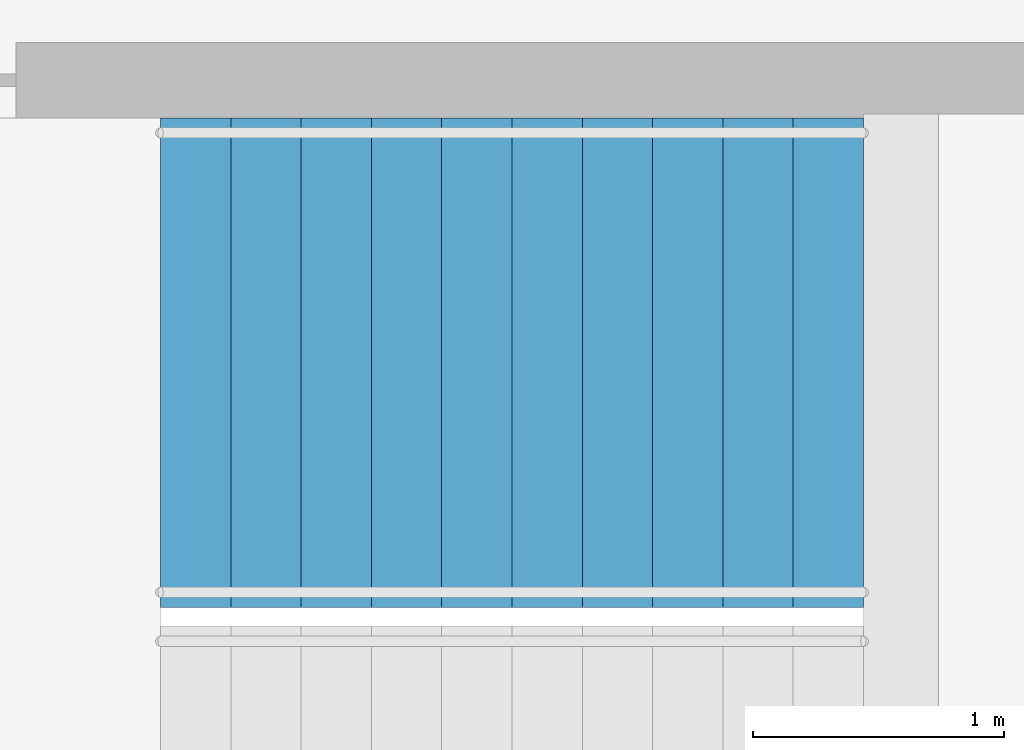
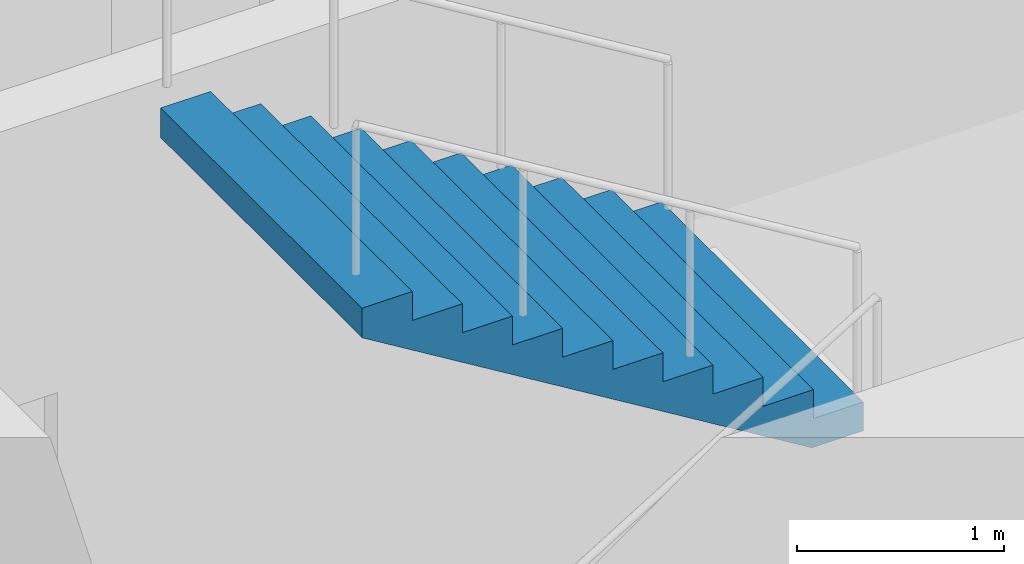
# One storey, part 19 of 22: 1 stair flight, 1 element without a shape of its own.
"""IFC4 building model written with IfcOpenShell, lengths in metres."""

from ifc_helpers import new_model, si_unit, direction, frame, origin, place, context, subcontext, project, spatial, triangles, material, type_object, element, aggregate, save


model = new_model("IFC4")

# Units and contexts
model_context = context("Model", 3, precision=1e-05, world=origin(), true_north=direction((0.0, 1.0)))
body_context = subcontext(model_context, "Body", "Model", "MODEL_VIEW")
ifc_project = project(units=[si_unit("LENGTHUNIT", "METRE"), si_unit("AREAUNIT", "SQUARE_METRE"), si_unit("VOLUMEUNIT", "CUBIC_METRE"), si_unit("PLANEANGLEUNIT", "RADIAN"), si_unit("MASSUNIT", "GRAM", prefix="KILO")], contexts=[model_context])

# Site, building, storey
site_placement = place(None, origin())
site = spatial("IfcSite", under=ifc_project, at=site_placement, CompositionType="ELEMENT")
building_placement = place(site_placement, origin())
building = spatial("IfcBuilding", under=site, at=building_placement, Name="Orbita Commons", CompositionType="ELEMENT")
storey_placement = place(building_placement, frame((0.0, 0.0, 118.14990234375)))
storey = spatial("IfcBuildingStorey", under=building, at=storey_placement, Name="L29", CompositionType="ELEMENT", Elevation=118.14990234375)

# Stair, stair flight
ifc_material_1 = material(Name="Precast concrete C40/50", Category="concrete")
stair_type = type_object("IfcStairType", Name="Exit stair S1 2 flights 11 risers 170", PredefinedType="HALF_TURN_STAIR", material=ifc_material_1)
stair_placement = place(storey_placement, origin())
stair = element("IfcStair", 1, at=stair_placement, inside=storey, type_object=stair_type, Name="Exit stair S1 L29", PredefinedType="HALF_TURN_STAIR")
ifc_material_2 = material(Name="Precast concrete C40/50", Category="concrete")
stair_flight_type = type_object("IfcStairFlightType", Name="Stair flight 11 risers 170 x 280", PredefinedType="STRAIGHT", material=ifc_material_2)
stair_flight_placement = place(storey_placement, frame((23.25, 29.27490234375, 1.875), z_axis=(0.0, 0.0, 1.0), x_axis=(-1.0, 0.0, 0.0)))
stair_flight = element("IfcStairFlight", 2, at=stair_flight_placement, type_object=stair_flight_type, Name="S1 flight 2", NumberOfRisers=11, NumberOfTreads=10, PredefinedType="STRAIGHT", RiserHeight=0.170454545, TreadLength=0.28, context=body_context, shape_type="Tessellation", body=[
    triangles([(0.0, 0.974976, 0.0), (0.0, 0.974976, 0.021307), (0.0, 0.81248, 0.021307), (0.0, 0.81248, 0.0), (0.0, 0.649984, 0.021307), (0.0, 0.649984, 0.0), (0.0, 0.487488, 0.021307), (0.0, 0.487488, 0.0), (0.0, 0.324992, 0.021307), (0.0, 0.324992, 0.0), (0.0, 0.162496, 0.021307), (0.0, 0.162496, 0.0), (0.0, 0.0, 0.021307), (0.0, 0.0, 0.0), (0.0, -0.162496, 0.021307), (0.0, -0.162496, 0.0), (0.0, -0.324992, 0.021307), (0.0, -0.324992, 0.0), (0.0, -0.487488, 0.021307), (0.0, -0.487488, 0.0), (0.0, -0.649984, 0.021307), (0.0, -0.649984, 0.0), (0.0, -0.81248, 0.021307), (0.0, -0.81248, 0.0), (0.0, -0.974976, 0.021307), (0.0, -0.974976, 0.0), (0.0, 0.974976, 0.042614), (0.0, 0.81248, 0.042614), (0.0, 0.649984, 0.042614), (0.0, 0.487488, 0.042614), (0.0, 0.324992, 0.042614), (0.0, 0.162496, 0.042614), (0.0, 0.0, 0.042614), (0.0, -0.162496, 0.042614), (0.0, -0.324992, 0.042614), (0.0, -0.487488, 0.042614), (0.0, -0.649984, 0.042614), (0.0, -0.81248, 0.042614), (0.0, -0.974976, 0.042614), (0.0, 0.974976, 0.06392), (0.0, 0.81248, 0.06392), (0.0, 0.649984, 0.06392), (0.0, 0.487488, 0.06392), (0.0, 0.324992, 0.06392), (0.0, 0.162496, 0.06392), (0.0, 0.0, 0.06392), (0.0, -0.162496, 0.06392), (0.0, -0.324992, 0.06392), (0.0, -0.487488, 0.06392), (0.0, -0.649984, 0.06392), (0.0, -0.81248, 0.06392), (0.0, -0.974976, 0.06392), (0.0, 0.974976, 0.085227), (0.0, 0.81248, 0.085227), (0.0, 0.649984, 0.085227), (0.0, 0.487488, 0.085227), (0.0, 0.324992, 0.085227), (0.0, 0.162496, 0.085227), (0.0, 0.0, 0.085227), (0.0, -0.162496, 0.085227), (0.0, -0.324992, 0.085227), (0.0, -0.487488, 0.085227), (0.0, -0.649984, 0.085227), (0.0, -0.81248, 0.085227), (0.0, -0.974976, 0.085227), (0.0, 0.974976, 0.106534), (0.0, 0.81248, 0.106534), (0.0, 0.649984, 0.106534), (0.0, 0.487488, 0.106534), (0.0, 0.324992, 0.106534), (0.0, 0.162496, 0.106534), (0.0, 0.0, 0.106534), (0.0, -0.162496, 0.106534), (0.0, -0.324992, 0.106534), (0.0, -0.487488, 0.106534), (0.0, -0.649984, 0.106534), (0.0, -0.81248, 0.106534), (0.0, -0.974976, 0.106534), (0.0, 0.974976, 0.127841), (0.0, 0.81248, 0.127841), (0.0, 0.649984, 0.127841), (0.0, 0.487488, 0.127841), (0.0, 0.324992, 0.127841), (0.0, 0.162496, 0.127841), (0.0, 0.0, 0.127841), (0.0, -0.162496, 0.127841), (0.0, -0.324992, 0.127841), (0.0, -0.487488, 0.127841), (0.0, -0.649984, 0.127841), (0.0, -0.81248, 0.127841), (0.0, -0.974976, 0.127841), (0.0, 0.974976, 0.149148), (0.0, 0.81248, 0.149148), (0.0, 0.649984, 0.149148), (0.0, 0.487488, 0.149148), (0.0, 0.324992, 0.149148), (0.0, 0.162496, 0.149148), (0.0, 0.0, 0.149148), (0.0, -0.162496, 0.149148), (0.0, -0.324992, 0.149148), (0.0, -0.487488, 0.149148), (0.0, -0.649984, 0.149148), (0.0, -0.81248, 0.149148), (0.0, -0.974976, 0.149148), (0.0, 0.974976, 0.170455), (0.0, 0.81248, 0.170455), (0.0, 0.649984, 0.170455), (0.0, 0.487488, 0.170455), (0.0, 0.324992, 0.170455), (0.0, 0.162496, 0.170455), (0.0, 0.0, 0.170455), (0.0, -0.162496, 0.170455), (0.0, -0.324992, 0.170455), (0.0, -0.487488, 0.170455), (0.0, -0.649984, 0.170455), (0.0, -0.81248, 0.170455), (0.0, -0.974976, 0.170455), (0.28, 0.974976, 0.170455), (0.28, 0.81248, 0.170455), (0.28, 0.649984, 0.170455), (0.28, 0.487488, 0.170455), (0.28, 0.324992, 0.170455), (0.28, 0.162496, 0.170455), (0.28, 0.0, 0.170455), (0.28, -0.162496, 0.170455), (0.28, -0.324992, 0.170455), (0.28, -0.487488, 0.170455), (0.28, -0.649984, 0.170455), (0.28, -0.81248, 0.170455), (0.28, -0.974976, 0.170455), (0.28, 0.974976, 0.340909), (0.28, 0.81248, 0.340909), (0.28, 0.649984, 0.340909), (0.28, 0.487488, 0.340909), (0.28, 0.324992, 0.340909), (0.28, 0.162496, 0.340909), (0.28, 0.0, 0.340909), (0.28, -0.162496, 0.340909), (0.28, -0.324992, 0.340909), (0.28, -0.487488, 0.340909), (0.28, -0.649984, 0.340909), (0.28, -0.81248, 0.340909), (0.28, -0.974976, 0.340909), (0.56, 0.974976, 0.340909), (0.56, 0.81248, 0.340909), (0.56, 0.649984, 0.340909), (0.56, 0.487488, 0.340909), (0.56, 0.324992, 0.340909), (0.56, 0.162496, 0.340909), (0.56, 0.0, 0.340909), (0.56, -0.162496, 0.340909), (0.56, -0.324992, 0.340909), (0.56, -0.487488, 0.340909), (0.56, -0.649984, 0.340909), (0.56, -0.81248, 0.340909), (0.56, -0.974976, 0.340909), (0.56, 0.974976, 0.511364), (0.56, 0.81248, 0.511364), (0.56, 0.649984, 0.511364), (0.56, 0.487488, 0.511364), (0.56, 0.324992, 0.511364), (0.56, 0.162496, 0.511364), (0.56, 0.0, 0.511364), (0.56, -0.162496, 0.511364), (0.56, -0.324992, 0.511364), (0.56, -0.487488, 0.511364), (0.56, -0.649984, 0.511364), (0.56, -0.81248, 0.511364), (0.56, -0.974976, 0.511364), (0.84, 0.974976, 0.511364), (0.84, 0.81248, 0.511364), (0.84, 0.649984, 0.511364), (0.84, 0.487488, 0.511364), (0.84, 0.324992, 0.511364), (0.84, 0.162496, 0.511364), (0.84, 0.0, 0.511364), (0.84, -0.162496, 0.511364), (0.84, -0.324992, 0.511364), (0.84, -0.487488, 0.511364), (0.84, -0.649984, 0.511364), (0.84, -0.81248, 0.511364), (0.84, -0.974976, 0.511364), (0.84, 0.974976, 0.681818), (0.84, 0.81248, 0.681818), (0.84, 0.649984, 0.681818), (0.84, 0.487488, 0.681818), (0.84, 0.324992, 0.681818), (0.84, 0.162496, 0.681818), (0.84, 0.0, 0.681818), (0.84, -0.162496, 0.681818), (0.84, -0.324992, 0.681818), (0.84, -0.487488, 0.681818), (0.84, -0.649984, 0.681818), (0.84, -0.81248, 0.681818), (0.84, -0.974976, 0.681818), (1.12, 0.974976, 0.681818), (1.12, 0.81248, 0.681818), (1.12, 0.649984, 0.681818), (1.12, 0.487488, 0.681818), (1.12, 0.324992, 0.681818), (1.12, 0.162496, 0.681818), (1.12, 0.0, 0.681818), (1.12, -0.162496, 0.681818), (1.12, -0.324992, 0.681818), (1.12, -0.487488, 0.681818), (1.12, -0.649984, 0.681818), (1.12, -0.81248, 0.681818), (1.12, -0.974976, 0.681818), (1.12, 0.974976, 0.852273), (1.12, 0.81248, 0.852273), (1.12, 0.649984, 0.852273), (1.12, 0.487488, 0.852273), (1.12, 0.324992, 0.852273), (1.12, 0.162496, 0.852273), (1.12, 0.0, 0.852273), (1.12, -0.162496, 0.852273), (1.12, -0.324992, 0.852273), (1.12, -0.487488, 0.852273), (1.12, -0.649984, 0.852273), (1.12, -0.81248, 0.852273), (1.12, -0.974976, 0.852273), (1.4, 0.974976, 0.852273), (1.4, 0.81248, 0.852273), (1.4, 0.649984, 0.852273), (1.4, 0.487488, 0.852273), (1.4, 0.324992, 0.852273), (1.4, 0.162496, 0.852273), (1.4, 0.0, 0.852273), (1.4, -0.162496, 0.852273), (1.4, -0.324992, 0.852273), (1.4, -0.487488, 0.852273), (1.4, -0.649984, 0.852273), (1.4, -0.81248, 0.852273), (1.4, -0.974976, 0.852273), (1.4, 0.974976, 1.022727), (1.4, 0.81248, 1.022727), (1.4, 0.649984, 1.022727), (1.4, 0.487488, 1.022727), (1.4, 0.324992, 1.022727), (1.4, 0.162496, 1.022727), (1.4, 0.0, 1.022727), (1.4, -0.162496, 1.022727), (1.4, -0.324992, 1.022727), (1.4, -0.487488, 1.022727), (1.4, -0.649984, 1.022727), (1.4, -0.81248, 1.022727), (1.4, -0.974976, 1.022727), (1.68, 0.974976, 1.022727), (1.68, 0.81248, 1.022727), (1.68, 0.649984, 1.022727), (1.68, 0.487488, 1.022727), (1.68, 0.324992, 1.022727), (1.68, 0.162496, 1.022727), (1.68, 0.0, 1.022727), (1.68, -0.162496, 1.022727), (1.68, -0.324992, 1.022727), (1.68, -0.487488, 1.022727), (1.68, -0.649984, 1.022727), (1.68, -0.81248, 1.022727), (1.68, -0.974976, 1.022727), (1.68, 0.974976, 1.193182), (1.68, 0.81248, 1.193182), (1.68, 0.649984, 1.193182), (1.68, 0.487488, 1.193182), (1.68, 0.324992, 1.193182), (1.68, 0.162496, 1.193182), (1.68, 0.0, 1.193182), (1.68, -0.162496, 1.193182), (1.68, -0.324992, 1.193182), (1.68, -0.487488, 1.193182), (1.68, -0.649984, 1.193182), (1.68, -0.81248, 1.193182), (1.68, -0.974976, 1.193182), (1.96, 0.974976, 1.193182), (1.96, 0.81248, 1.193182), (1.96, 0.649984, 1.193182), (1.96, 0.487488, 1.193182), (1.96, 0.324992, 1.193182), (1.96, 0.162496, 1.193182), (1.96, 0.0, 1.193182), (1.96, -0.162496, 1.193182), (1.96, -0.324992, 1.193182), (1.96, -0.487488, 1.193182), (1.96, -0.649984, 1.193182), (1.96, -0.81248, 1.193182), (1.96, -0.974976, 1.193182), (1.96, 0.974976, 1.363636), (1.96, 0.81248, 1.363636), (1.96, 0.649984, 1.363636), (1.96, 0.487488, 1.363636), (1.96, 0.324992, 1.363636), (1.96, 0.162496, 1.363636), (1.96, 0.0, 1.363636), (1.96, -0.162496, 1.363636), (1.96, -0.324992, 1.363636), (1.96, -0.487488, 1.363636), (1.96, -0.649984, 1.363636), (1.96, -0.81248, 1.363636), (1.96, -0.974976, 1.363636), (2.24, 0.974976, 1.363636), (2.24, 0.81248, 1.363636), (2.24, 0.649984, 1.363636), (2.24, 0.487488, 1.363636), (2.24, 0.324992, 1.363636), (2.24, 0.162496, 1.363636), (2.24, 0.0, 1.363636), (2.24, -0.162496, 1.363636), (2.24, -0.324992, 1.363636), (2.24, -0.487488, 1.363636), (2.24, -0.649984, 1.363636), (2.24, -0.81248, 1.363636), (2.24, -0.974976, 1.363636), (2.24, 0.974976, 1.534091), (2.24, 0.81248, 1.534091), (2.24, 0.649984, 1.534091), (2.24, 0.487488, 1.534091), (2.24, 0.324992, 1.534091), (2.24, 0.162496, 1.534091), (2.24, 0.0, 1.534091), (2.24, -0.162496, 1.534091), (2.24, -0.324992, 1.534091), (2.24, -0.487488, 1.534091), (2.24, -0.649984, 1.534091), (2.24, -0.81248, 1.534091), (2.24, -0.974976, 1.534091), (2.52, 0.974976, 1.534091), (2.52, 0.81248, 1.534091), (2.52, 0.649984, 1.534091), (2.52, 0.487488, 1.534091), (2.52, 0.324992, 1.534091), (2.52, 0.162496, 1.534091), (2.52, 0.0, 1.534091), (2.52, -0.162496, 1.534091), (2.52, -0.324992, 1.534091), (2.52, -0.487488, 1.534091), (2.52, -0.649984, 1.534091), (2.52, -0.81248, 1.534091), (2.52, -0.974976, 1.534091), (2.52, 0.974976, 1.704545), (2.52, 0.81248, 1.704545), (2.52, 0.649984, 1.704545), (2.52, 0.487488, 1.704545), (2.52, 0.324992, 1.704545), (2.52, 0.162496, 1.704545), (2.52, 0.0, 1.704545), (2.52, -0.162496, 1.704545), (2.52, -0.324992, 1.704545), (2.52, -0.487488, 1.704545), (2.52, -0.649984, 1.704545), (2.52, -0.81248, 1.704545), (2.52, -0.974976, 1.704545), (2.8, 0.974976, 1.704545), (2.8, 0.81248, 1.704545), (2.8, 0.649984, 1.704545), (2.8, 0.487488, 1.704545), (2.8, 0.324992, 1.704545), (2.8, 0.162496, 1.704545), (2.8, 0.0, 1.704545), (2.8, -0.162496, 1.704545), (2.8, -0.324992, 1.704545), (2.8, -0.487488, 1.704545), (2.8, -0.649984, 1.704545), (2.8, -0.81248, 1.704545), (2.8, -0.974976, 1.704545), (2.8, 0.974976, 1.682609), (2.8, 0.81248, 1.682609), (2.8, 0.649984, 1.682609), (2.8, 0.487488, 1.682609), (2.8, 0.324992, 1.682609), (2.8, 0.162496, 1.682609), (2.8, 0.0, 1.682609), (2.8, -0.162496, 1.682609), (2.8, -0.324992, 1.682609), (2.8, -0.487488, 1.682609), (2.8, -0.649984, 1.682609), (2.8, -0.81248, 1.682609), (2.8, -0.974976, 1.682609), (2.8, 0.974976, 1.660672), (2.8, 0.81248, 1.660672), (2.8, 0.649984, 1.660672), (2.8, 0.487488, 1.660672), (2.8, 0.324992, 1.660672), (2.8, 0.162496, 1.660672), (2.8, 0.0, 1.660672), (2.8, -0.162496, 1.660672), (2.8, -0.324992, 1.660672), (2.8, -0.487488, 1.660672), (2.8, -0.649984, 1.660672), (2.8, -0.81248, 1.660672), (2.8, -0.974976, 1.660672), (2.8, 0.974976, 1.638735), (2.8, 0.81248, 1.638735), (2.8, 0.649984, 1.638735), (2.8, 0.487488, 1.638735), (2.8, 0.324992, 1.638735), (2.8, 0.162496, 1.638735), (2.8, 0.0, 1.638735), (2.8, -0.162496, 1.638735), (2.8, -0.324992, 1.638735), (2.8, -0.487488, 1.638735), (2.8, -0.649984, 1.638735), (2.8, -0.81248, 1.638735), (2.8, -0.974976, 1.638735), (2.8, 0.974976, 1.616798), (2.8, 0.81248, 1.616798), (2.8, 0.649984, 1.616798), (2.8, 0.487488, 1.616798), (2.8, 0.324992, 1.616798), (2.8, 0.162496, 1.616798), (2.8, 0.0, 1.616798), (2.8, -0.162496, 1.616798), (2.8, -0.324992, 1.616798), (2.8, -0.487488, 1.616798), (2.8, -0.649984, 1.616798), (2.8, -0.81248, 1.616798), (2.8, -0.974976, 1.616798), (2.8, 0.974976, 1.594861), (2.8, 0.81248, 1.594861), (2.8, 0.649984, 1.594861), (2.8, 0.487488, 1.594861), (2.8, 0.324992, 1.594861), (2.8, 0.162496, 1.594861), (2.8, 0.0, 1.594861), (2.8, -0.162496, 1.594861), (2.8, -0.324992, 1.594861), (2.8, -0.487488, 1.594861), (2.8, -0.649984, 1.594861), (2.8, -0.81248, 1.594861), (2.8, -0.974976, 1.594861), (2.8, 0.974976, 1.572925), (2.8, 0.81248, 1.572925), (2.8, 0.649984, 1.572925), (2.8, 0.487488, 1.572925), (2.8, 0.324992, 1.572925), (2.8, 0.162496, 1.572925), (2.8, 0.0, 1.572925), (2.8, -0.162496, 1.572925), (2.8, -0.324992, 1.572925), (2.8, -0.487488, 1.572925), (2.8, -0.649984, 1.572925), (2.8, -0.81248, 1.572925), (2.8, -0.974976, 1.572925), (2.8, 0.974976, 1.550988), (2.8, 0.81248, 1.550988), (2.8, 0.649984, 1.550988), (2.8, 0.487488, 1.550988), (2.8, 0.324992, 1.550988), (2.8, 0.162496, 1.550988), (2.8, 0.0, 1.550988), (2.8, -0.162496, 1.550988), (2.8, -0.324992, 1.550988), (2.8, -0.487488, 1.550988), (2.8, -0.649984, 1.550988), (2.8, -0.81248, 1.550988), (2.8, -0.974976, 1.550988), (2.8, 0.974976, 1.529051), (2.8, 0.81248, 1.529051), (2.8, 0.649984, 1.529051), (2.8, 0.487488, 1.529051), (2.8, 0.324992, 1.529051), (2.8, 0.162496, 1.529051), (2.8, 0.0, 1.529051), (2.8, -0.162496, 1.529051), (2.8, -0.324992, 1.529051), (2.8, -0.487488, 1.529051), (2.8, -0.649984, 1.529051), (2.8, -0.81248, 1.529051), (2.8, -0.974976, 1.529051), (0.288279, 0.974976, 0.0), (0.288279, 0.81248, 0.0), (0.288279, 0.649984, 0.0), (0.288279, 0.487488, 0.0), (0.288279, 0.324992, 0.0), (0.288279, 0.162496, 0.0), (0.288279, 0.0, 0.0), (0.288279, -0.162496, 0.0), (0.288279, -0.324992, 0.0), (0.288279, -0.487488, 0.0), (0.288279, -0.649984, 0.0), (0.288279, -0.81248, 0.0), (0.288279, -0.974976, 0.0)], [[3, 2, 1], [4, 3, 1], [5, 3, 4], [6, 5, 4], [7, 5, 6], [8, 7, 6], [9, 7, 8], [10, 9, 8], [11, 9, 10], [12, 11, 10], [13, 11, 12], [14, 13, 12], [15, 13, 14], [16, 15, 14], [17, 15, 16], [18, 17, 16], [19, 17, 18], [20, 19, 18], [21, 19, 20], [22, 21, 20], [23, 21, 22], [24, 23, 22], [25, 23, 24], [26, 25, 24], [28, 27, 2], [3, 28, 2], [29, 28, 3], [5, 29, 3], [30, 29, 5], [7, 30, 5], [31, 30, 7], [9, 31, 7], [32, 31, 9], [11, 32, 9], [33, 32, 11], [13, 33, 11], [34, 33, 13], [15, 34, 13], [35, 34, 15], [17, 35, 15], [36, 35, 17], [19, 36, 17], [37, 36, 19], [21, 37, 19], [38, 37, 21], [23, 38, 21], [39, 38, 23], [25, 39, 23], [41, 40, 27], [28, 41, 27], [42, 41, 28], [29, 42, 28], [43, 42, 29], [30, 43, 29], [44, 43, 30], [31, 44, 30], [45, 44, 31], [32, 45, 31], [46, 45, 32], [33, 46, 32], [47, 46, 33], [34, 47, 33], [48, 47, 34], [35, 48, 34], [49, 48, 35], [36, 49, 35], [50, 49, 36], [37, 50, 36], [51, 50, 37], [38, 51, 37], [52, 51, 38], [39, 52, 38], [54, 53, 40], [41, 54, 40], [55, 54, 41], [42, 55, 41], [56, 55, 42], [43, 56, 42], [57, 56, 43], [44, 57, 43], [58, 57, 44], [45, 58, 44], [59, 58, 45], [46, 59, 45], [60, 59, 46], [47, 60, 46], [61, 60, 47], [48, 61, 47], [62, 61, 48], [49, 62, 48], [63, 62, 49], [50, 63, 49], [64, 63, 50], [51, 64, 50], [65, 64, 51], [52, 65, 51], [67, 66, 53], [54, 67, 53], [68, 67, 54], [55, 68, 54], [69, 68, 55], [56, 69, 55], [70, 69, 56], [57, 70, 56], [71, 70, 57], [58, 71, 57], [72, 71, 58], [59, 72, 58], [73, 72, 59], [60, 73, 59], [74, 73, 60], [61, 74, 60], [75, 74, 61], [62, 75, 61], [76, 75, 62], [63, 76, 62], [77, 76, 63], [64, 77, 63], [78, 77, 64], [65, 78, 64], [80, 79, 66], [67, 80, 66], [81, 80, 67], [68, 81, 67], [82, 81, 68], [69, 82, 68], [83, 82, 69], [70, 83, 69], [84, 83, 70], [71, 84, 70], [85, 84, 71], [72, 85, 71], [86, 85, 72], [73, 86, 72], [87, 86, 73], [74, 87, 73], [88, 87, 74], [75, 88, 74], [89, 88, 75], [76, 89, 75], [90, 89, 76], [77, 90, 76], [91, 90, 77], [78, 91, 77], [93, 92, 79], [80, 93, 79], [94, 93, 80], [81, 94, 80], [95, 94, 81], [82, 95, 81], [96, 95, 82], [83, 96, 82], [97, 96, 83], [84, 97, 83], [98, 97, 84], [85, 98, 84], [99, 98, 85], [86, 99, 85], [100, 99, 86], [87, 100, 86], [101, 100, 87], [88, 101, 87], [102, 101, 88], [89, 102, 88], [103, 102, 89], [90, 103, 89], [104, 103, 90], [91, 104, 90], [106, 105, 92], [93, 106, 92], [107, 106, 93], [94, 107, 93], [108, 107, 94], [95, 108, 94], [109, 108, 95], [96, 109, 95], [110, 109, 96], [97, 110, 96], [111, 110, 97], [98, 111, 97], [112, 111, 98], [99, 112, 98], [113, 112, 99], [100, 113, 99], [114, 113, 100], [101, 114, 100], [115, 114, 101], [102, 115, 101], [116, 115, 102], [103, 116, 102], [117, 116, 103], [104, 117, 103], [119, 118, 105], [106, 119, 105], [120, 119, 106], [107, 120, 106], [121, 120, 107], [108, 121, 107], [122, 121, 108], [109, 122, 108], [123, 122, 109], [110, 123, 109], [124, 123, 110], [111, 124, 110], [125, 124, 111], [112, 125, 111], [126, 125, 112], [113, 126, 112], [127, 126, 113], [114, 127, 113], [128, 127, 114], [115, 128, 114], [129, 128, 115], [116, 129, 115], [130, 129, 116], [117, 130, 116], [132, 131, 118], [119, 132, 118], [133, 132, 119], [120, 133, 119], [134, 133, 120], [121, 134, 120], [135, 134, 121], [122, 135, 121], [136, 135, 122], [123, 136, 122], [137, 136, 123], [124, 137, 123], [138, 137, 124], [125, 138, 124], [139, 138, 125], [126, 139, 125], [140, 139, 126], [127, 140, 126], [141, 140, 127], [128, 141, 127], [142, 141, 128], [129, 142, 128], [143, 142, 129], [130, 143, 129], [145, 144, 131], [132, 145, 131], [146, 145, 132], [133, 146, 132], [147, 146, 133], [134, 147, 133], [148, 147, 134], [135, 148, 134], [149, 148, 135], [136, 149, 135], [150, 149, 136], [137, 150, 136], [151, 150, 137], [138, 151, 137], [152, 151, 138], [139, 152, 138], [153, 152, 139], [140, 153, 139], [154, 153, 140], [141, 154, 140], [155, 154, 141], [142, 155, 141], [156, 155, 142], [143, 156, 142], [158, 157, 144], [145, 158, 144], [159, 158, 145], [146, 159, 145], [160, 159, 146], [147, 160, 146], [161, 160, 147], [148, 161, 147], [162, 161, 148], [149, 162, 148], [163, 162, 149], [150, 163, 149], [164, 163, 150], [151, 164, 150], [165, 164, 151], [152, 165, 151], [166, 165, 152], [153, 166, 152], [167, 166, 153], [154, 167, 153], [168, 167, 154], [155, 168, 154], [169, 168, 155], [156, 169, 155], [171, 170, 157], [158, 171, 157], [172, 171, 158], [159, 172, 158], [173, 172, 159], [160, 173, 159], [174, 173, 160], [161, 174, 160], [175, 174, 161], [162, 175, 161], [176, 175, 162], [163, 176, 162], [177, 176, 163], [164, 177, 163], [178, 177, 164], [165, 178, 164], [179, 178, 165], [166, 179, 165], [180, 179, 166], [167, 180, 166], [181, 180, 167], [168, 181, 167], [182, 181, 168], [169, 182, 168], [184, 183, 170], [171, 184, 170], [185, 184, 171], [172, 185, 171], [186, 185, 172], [173, 186, 172], [187, 186, 173], [174, 187, 173], [188, 187, 174], [175, 188, 174], [189, 188, 175], [176, 189, 175], [190, 189, 176], [177, 190, 176], [191, 190, 177], [178, 191, 177], [192, 191, 178], [179, 192, 178], [193, 192, 179], [180, 193, 179], [194, 193, 180], [181, 194, 180], [195, 194, 181], [182, 195, 181], [197, 196, 183], [184, 197, 183], [198, 197, 184], [185, 198, 184], [199, 198, 185], [186, 199, 185], [200, 199, 186], [187, 200, 186], [201, 200, 187], [188, 201, 187], [202, 201, 188], [189, 202, 188], [203, 202, 189], [190, 203, 189], [204, 203, 190], [191, 204, 190], [205, 204, 191], [192, 205, 191], [206, 205, 192], [193, 206, 192], [207, 206, 193], [194, 207, 193], [208, 207, 194], [195, 208, 194], [210, 209, 196], [197, 210, 196], [211, 210, 197], [198, 211, 197], [212, 211, 198], [199, 212, 198], [213, 212, 199], [200, 213, 199], [214, 213, 200], [201, 214, 200], [215, 214, 201], [202, 215, 201], [216, 215, 202], [203, 216, 202], [217, 216, 203], [204, 217, 203], [218, 217, 204], [205, 218, 204], [219, 218, 205], [206, 219, 205], [220, 219, 206], [207, 220, 206], [221, 220, 207], [208, 221, 207], [223, 222, 209], [210, 223, 209], [224, 223, 210], [211, 224, 210], [225, 224, 211], [212, 225, 211], [226, 225, 212], [213, 226, 212], [227, 226, 213], [214, 227, 213], [228, 227, 214], [215, 228, 214], [229, 228, 215], [216, 229, 215], [230, 229, 216], [217, 230, 216], [231, 230, 217], [218, 231, 217], [232, 231, 218], [219, 232, 218], [233, 232, 219], [220, 233, 219], [234, 233, 220], [221, 234, 220], [236, 235, 222], [223, 236, 222], [237, 236, 223], [224, 237, 223], [238, 237, 224], [225, 238, 224], [239, 238, 225], [226, 239, 225], [240, 239, 226], [227, 240, 226], [241, 240, 227], [228, 241, 227], [242, 241, 228], [229, 242, 228], [243, 242, 229], [230, 243, 229], [244, 243, 230], [231, 244, 230], [245, 244, 231], [232, 245, 231], [246, 245, 232], [233, 246, 232], [247, 246, 233], [234, 247, 233], [249, 248, 235], [236, 249, 235], [250, 249, 236], [237, 250, 236], [251, 250, 237], [238, 251, 237], [252, 251, 238], [239, 252, 238], [253, 252, 239], [240, 253, 239], [254, 253, 240], [241, 254, 240], [255, 254, 241], [242, 255, 241], [256, 255, 242], [243, 256, 242], [257, 256, 243], [244, 257, 243], [258, 257, 244], [245, 258, 244], [259, 258, 245], [246, 259, 245], [260, 259, 246], [247, 260, 246], [262, 261, 248], [249, 262, 248], [263, 262, 249], [250, 263, 249], [264, 263, 250], [251, 264, 250], [265, 264, 251], [252, 265, 251], [266, 265, 252], [253, 266, 252], [267, 266, 253], [254, 267, 253], [268, 267, 254], [255, 268, 254], [269, 268, 255], [256, 269, 255], [270, 269, 256], [257, 270, 256], [271, 270, 257], [258, 271, 257], [272, 271, 258], [259, 272, 258], [273, 272, 259], [260, 273, 259], [275, 274, 261], [262, 275, 261], [276, 275, 262], [263, 276, 262], [277, 276, 263], [264, 277, 263], [278, 277, 264], [265, 278, 264], [279, 278, 265], [266, 279, 265], [280, 279, 266], [267, 280, 266], [281, 280, 267], [268, 281, 267], [282, 281, 268], [269, 282, 268], [283, 282, 269], [270, 283, 269], [284, 283, 270], [271, 284, 270], [285, 284, 271], [272, 285, 271], [286, 285, 272], [273, 286, 272], [288, 287, 274], [275, 288, 274], [289, 288, 275], [276, 289, 275], [290, 289, 276], [277, 290, 276], [291, 290, 277], [278, 291, 277], [292, 291, 278], [279, 292, 278], [293, 292, 279], [280, 293, 279], [294, 293, 280], [281, 294, 280], [295, 294, 281], [282, 295, 281], [296, 295, 282], [283, 296, 282], [297, 296, 283], [284, 297, 283], [298, 297, 284], [285, 298, 284], [299, 298, 285], [286, 299, 285], [301, 300, 287], [288, 301, 287], [302, 301, 288], [289, 302, 288], [303, 302, 289], [290, 303, 289], [304, 303, 290], [291, 304, 290], [305, 304, 291], [292, 305, 291], [306, 305, 292], [293, 306, 292], [307, 306, 293], [294, 307, 293], [308, 307, 294], [295, 308, 294], [309, 308, 295], [296, 309, 295], [310, 309, 296], [297, 310, 296], [311, 310, 297], [298, 311, 297], [312, 311, 298], [299, 312, 298], [314, 313, 300], [301, 314, 300], [315, 314, 301], [302, 315, 301], [316, 315, 302], [303, 316, 302], [317, 316, 303], [304, 317, 303], [318, 317, 304], [305, 318, 304], [319, 318, 305], [306, 319, 305], [320, 319, 306], [307, 320, 306], [321, 320, 307], [308, 321, 307], [322, 321, 308], [309, 322, 308], [323, 322, 309], [310, 323, 309], [324, 323, 310], [311, 324, 310], [325, 324, 311], [312, 325, 311], [327, 326, 313], [314, 327, 313], [328, 327, 314], [315, 328, 314], [329, 328, 315], [316, 329, 315], [330, 329, 316], [317, 330, 316], [331, 330, 317], [318, 331, 317], [332, 331, 318], [319, 332, 318], [333, 332, 319], [320, 333, 319], [334, 333, 320], [321, 334, 320], [335, 334, 321], [322, 335, 321], [336, 335, 322], [323, 336, 322], [337, 336, 323], [324, 337, 323], [338, 337, 324], [325, 338, 324], [340, 339, 326], [327, 340, 326], [341, 340, 327], [328, 341, 327], [342, 341, 328], [329, 342, 328], [343, 342, 329], [330, 343, 329], [344, 343, 330], [331, 344, 330], [345, 344, 331], [332, 345, 331], [346, 345, 332], [333, 346, 332], [347, 346, 333], [334, 347, 333], [348, 347, 334], [335, 348, 334], [349, 348, 335], [336, 349, 335], [350, 349, 336], [337, 350, 336], [351, 350, 337], [338, 351, 337], [353, 352, 339], [340, 353, 339], [354, 353, 340], [341, 354, 340], [355, 354, 341], [342, 355, 341], [356, 355, 342], [343, 356, 342], [357, 356, 343], [344, 357, 343], [358, 357, 344], [345, 358, 344], [359, 358, 345], [346, 359, 345], [360, 359, 346], [347, 360, 346], [361, 360, 347], [348, 361, 347], [362, 361, 348], [349, 362, 348], [363, 362, 349], [350, 363, 349], [364, 363, 350], [351, 364, 350], [366, 365, 352], [353, 366, 352], [367, 366, 353], [354, 367, 353], [368, 367, 354], [355, 368, 354], [369, 368, 355], [356, 369, 355], [370, 369, 356], [357, 370, 356], [371, 370, 357], [358, 371, 357], [372, 371, 358], [359, 372, 358], [373, 372, 359], [360, 373, 359], [374, 373, 360], [361, 374, 360], [375, 374, 361], [362, 375, 361], [376, 375, 362], [363, 376, 362], [377, 376, 363], [364, 377, 363], [379, 378, 365], [366, 379, 365], [380, 379, 366], [367, 380, 366], [381, 380, 367], [368, 381, 367], [382, 381, 368], [369, 382, 368], [383, 382, 369], [370, 383, 369], [384, 383, 370], [371, 384, 370], [385, 384, 371], [372, 385, 371], [386, 385, 372], [373, 386, 372], [387, 386, 373], [374, 387, 373], [388, 387, 374], [375, 388, 374], [389, 388, 375], [376, 389, 375], [390, 389, 376], [377, 390, 376], [392, 391, 378], [379, 392, 378], [393, 392, 379], [380, 393, 379], [394, 393, 380], [381, 394, 380], [395, 394, 381], [382, 395, 381], [396, 395, 382], [383, 396, 382], [397, 396, 383], [384, 397, 383], [398, 397, 384], [385, 398, 384], [399, 398, 385], [386, 399, 385], [400, 399, 386], [387, 400, 386], [401, 400, 387], [388, 401, 387], [402, 401, 388], [389, 402, 388], [403, 402, 389], [390, 403, 389], [405, 404, 391], [392, 405, 391], [406, 405, 392], [393, 406, 392], [407, 406, 393], [394, 407, 393], [408, 407, 394], [395, 408, 394], [409, 408, 395], [396, 409, 395], [410, 409, 396], [397, 410, 396], [411, 410, 397], [398, 411, 397], [412, 411, 398], [399, 412, 398], [413, 412, 399], [400, 413, 399], [414, 413, 400], [401, 414, 400], [415, 414, 401], [402, 415, 401], [416, 415, 402], [403, 416, 402], [418, 417, 404], [405, 418, 404], [419, 418, 405], [406, 419, 405], [420, 419, 406], [407, 420, 406], [421, 420, 407], [408, 421, 407], [422, 421, 408], [409, 422, 408], [423, 422, 409], [410, 423, 409], [424, 423, 410], [411, 424, 410], [425, 424, 411], [412, 425, 411], [426, 425, 412], [413, 426, 412], [427, 426, 413], [414, 427, 413], [428, 427, 414], [415, 428, 414], [429, 428, 415], [416, 429, 415], [431, 430, 417], [418, 431, 417], [432, 431, 418], [419, 432, 418], [433, 432, 419], [420, 433, 419], [434, 433, 420], [421, 434, 420], [435, 434, 421], [422, 435, 421], [436, 435, 422], [423, 436, 422], [437, 436, 423], [424, 437, 423], [438, 437, 424], [425, 438, 424], [439, 438, 425], [426, 439, 425], [440, 439, 426], [427, 440, 426], [441, 440, 427], [428, 441, 427], [442, 441, 428], [429, 442, 428], [444, 443, 430], [431, 444, 430], [445, 444, 431], [432, 445, 431], [446, 445, 432], [433, 446, 432], [447, 446, 433], [434, 447, 433], [448, 447, 434], [435, 448, 434], [449, 448, 435], [436, 449, 435], [450, 449, 436], [437, 450, 436], [451, 450, 437], [438, 451, 437], [452, 451, 438], [439, 452, 438], [453, 452, 439], [440, 453, 439], [454, 453, 440], [441, 454, 440], [455, 454, 441], [442, 455, 441], [457, 456, 443], [444, 457, 443], [458, 457, 444], [445, 458, 444], [459, 458, 445], [446, 459, 445], [460, 459, 446], [447, 460, 446], [461, 460, 447], [448, 461, 447], [462, 461, 448], [449, 462, 448], [463, 462, 449], [450, 463, 449], [464, 463, 450], [451, 464, 450], [465, 464, 451], [452, 465, 451], [466, 465, 452], [453, 466, 452], [467, 466, 453], [454, 467, 453], [468, 467, 454], [455, 468, 454], [470, 469, 456], [457, 470, 456], [471, 470, 457], [458, 471, 457], [472, 471, 458], [459, 472, 458], [473, 472, 459], [460, 473, 459], [474, 473, 460], [461, 474, 460], [475, 474, 461], [462, 475, 461], [476, 475, 462], [463, 476, 462], [477, 476, 463], [464, 477, 463], [478, 477, 464], [465, 478, 464], [479, 478, 465], [466, 479, 465], [480, 479, 466], [467, 480, 466], [481, 480, 467], [468, 481, 467], [4, 1, 469], [470, 4, 469], [6, 4, 470], [471, 6, 470], [8, 6, 471], [472, 8, 471], [10, 8, 472], [473, 10, 472], [12, 10, 473], [474, 12, 473], [14, 12, 474], [475, 14, 474], [16, 14, 475], [476, 16, 475], [18, 16, 476], [477, 18, 476], [20, 18, 477], [478, 20, 477], [22, 20, 478], [479, 22, 478], [24, 22, 479], [480, 24, 479], [26, 24, 480], [481, 26, 480], [456, 469, 1], [26, 481, 468], [443, 456, 1], [26, 468, 455], [430, 443, 1], [26, 455, 442], [417, 430, 1], [26, 442, 429], [404, 417, 1], [26, 429, 416], [391, 404, 1], [26, 416, 403], [378, 391, 1], [26, 403, 390], [365, 378, 1], [26, 390, 377], [339, 352, 365], [377, 364, 351], [326, 339, 365], [377, 351, 338], [300, 313, 326], [338, 325, 312], [300, 326, 365], [377, 338, 312], [274, 287, 300], [312, 299, 286], [274, 300, 365], [377, 312, 286], [248, 261, 274], [286, 273, 260], [248, 274, 365], [377, 286, 260], [222, 235, 248], [260, 247, 234], [222, 248, 365], [377, 260, 234], [196, 209, 222], [234, 221, 208], [196, 222, 365], [377, 234, 208], [170, 183, 196], [208, 195, 182], [170, 196, 365], [377, 208, 182], [144, 157, 170], [182, 169, 156], [144, 170, 365], [377, 182, 156], [118, 131, 144], [156, 143, 130], [118, 144, 365], [377, 156, 130], [118, 365, 1], [26, 377, 130], [92, 105, 118], [130, 117, 104], [79, 92, 118], [130, 104, 91], [66, 79, 118], [130, 91, 78], [53, 66, 118], [130, 78, 65], [40, 53, 118], [130, 65, 52], [27, 40, 118], [130, 52, 39], [2, 27, 118], [130, 39, 25], [1, 2, 118], [130, 25, 26]], closed=True),
])
aggregate(stair, [stair_flight])

save(model, "model.ifc")
